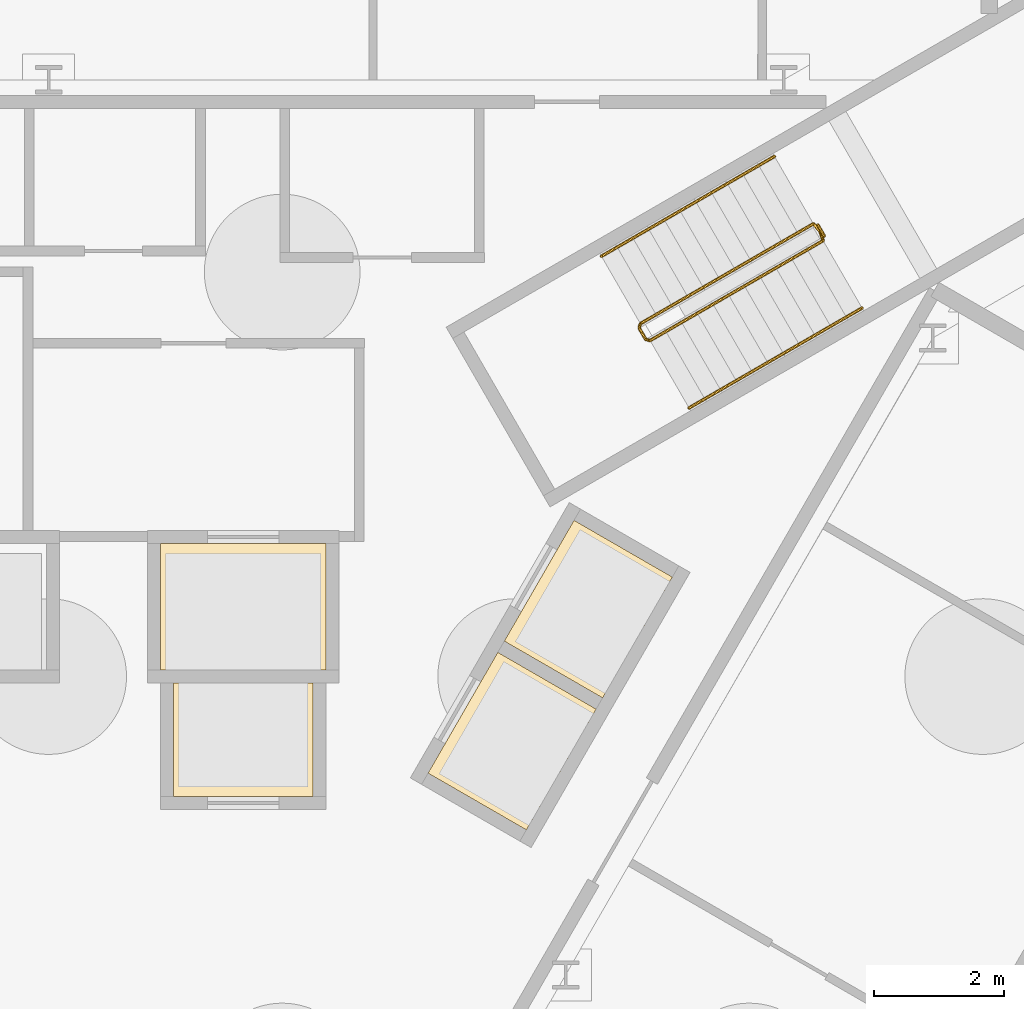
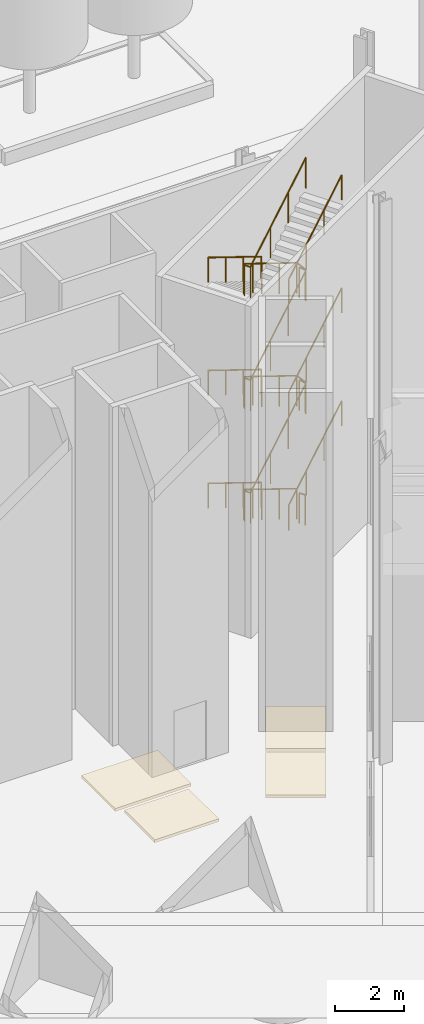
# One storey, part 16 of 22: 8 railings, 4 coverings.
"""IFC4 building model written with IfcOpenShell, lengths in metres."""

from ifc_helpers import new_model, si_unit, direction, frame, origin, origin_2d, place, context, subcontext, project, spatial, polyline, circle, outline, extrude, material, layer, layer_set, type_object, element, save


model = new_model("IFC4")

# Units and contexts
model_context = context("Model", 3, precision=1e-05, world=origin(), true_north=direction((0.0, 1.0)))
body_context = subcontext(model_context, "Body", "Model", "MODEL_VIEW")
ifc_project = project(units=[si_unit("LENGTHUNIT", "METRE"), si_unit("AREAUNIT", "SQUARE_METRE"), si_unit("VOLUMEUNIT", "CUBIC_METRE"), si_unit("PLANEANGLEUNIT", "RADIAN"), si_unit("MASSUNIT", "GRAM", prefix="KILO")], contexts=[model_context])

# Site, building, storey
site_placement = place(None, origin())
site = spatial("IfcSite", under=ifc_project, at=site_placement, CompositionType="ELEMENT")
building_placement = place(site_placement, origin())
building = spatial("IfcBuilding", under=site, at=building_placement, Name="Verrane Prism Tower", CompositionType="ELEMENT")
storey_placement = place(building_placement, origin())
storey = spatial("IfcBuildingStorey", under=building, at=storey_placement, Name="L00", CompositionType="ELEMENT", Elevation=0.0)

# Coverings
ifc_material_1 = material(Name="Concrete C40/50", Category="concrete")
ifc_layer = layer(ifc_material_1, 0.10009765625)
ifc_layer_set = layer_set([ifc_layer], Name="Lift pit floor 100 concrete C40/50")
covering_type = type_object("IfcCoveringType", Name="Lift pit floor 100 concrete C40/50", PredefinedType="FLOORING", material=ifc_layer_set)
covering_1_placement = place(storey_placement, frame((0.0, 0.0, -2.5)))
element("IfcCovering", 1, at=covering_1_placement, inside=storey, type_object=covering_type, Name="Shuttle lift 1 pit floor", PredefinedType="FLOORING", context=body_context, shape_type="SweptSolid", body=[
    extrude(outline(polyline([(8.09912109375, 2.407958984375), (9.61474609375, 1.532958984375), (8.53955078125, -0.328857421875), (7.024169921875, 0.546142578125), (8.09912109375, 2.407958984375)])), origin(), (0.0, 0.0, 1.0), 0.10009765625),
])
covering_2_placement = place(storey_placement, frame((0.0, 0.0, -2.5)))
element("IfcCovering", 2, at=covering_2_placement, inside=storey, type_object=covering_type, Name="Shuttle lift 3 pit floor", PredefinedType="FLOORING", context=body_context, shape_type="SweptSolid", body=[
    extrude(outline(polyline([(6.924072265625, 0.372802734375), (8.439697265625, -0.502197265625), (7.36474609375, -2.364013671875), (5.84912109375, -1.489013671875), (6.924072265625, 0.372802734375)])), origin(), (0.0, 0.0, 1.0), 0.10009765625),
])
covering_3_placement = place(storey_placement, frame((0.0, 0.0, -2.5)))
element("IfcCovering", 3, at=covering_3_placement, inside=storey, type_object=covering_type, Name="Fire service lift 2 pit floor", PredefinedType="FLOORING", context=body_context, shape_type="SweptSolid", body=[
    extrude(outline(polyline([(4.27490234375, 2.050048828125), (4.27490234375, 0.10009765625), (1.72509765625, 0.10009765625), (1.72509765625, 2.050048828125), (4.27490234375, 2.050048828125)])), origin(), (0.0, 0.0, 1.0), 0.10009765625),
])
covering_4_placement = place(storey_placement, frame((0.0, 0.0, -2.5)))
element("IfcCovering", 4, at=covering_4_placement, inside=storey, type_object=covering_type, Name="Retail lift 2 pit floor", PredefinedType="FLOORING", context=body_context, shape_type="SweptSolid", body=[
    extrude(outline(polyline([(1.925048828125, -1.85009765625), (1.925048828125, -0.10009765625), (4.074951171875, -0.10009765625), (4.074951171875, -1.85009765625), (1.925048828125, -1.85009765625)])), origin(), (0.0, 0.0, 1.0), 0.10009765625),
])

# Railings
ifc_material_2 = material(Name="Steel A36 rail and posts, no infill", Category="steel")
railing_type_1 = type_object("IfcRailingType", Name="Stair guard 1100 steel rail and posts", PredefinedType="GUARDRAIL", material=ifc_material_2)
railing_1_placement = place(storey_placement, frame((11.78955078125, 6.97998046875, 0.166748046875)))
element("IfcRailing", 5, at=railing_1_placement, inside=storey, type_object=railing_type_1, Name="Stair 1 guard", PredefinedType="GUARDRAIL", context=body_context, shape_type="SweptSolid", body=[
    extrude(circle(Radius=0.02392578125, at=origin_2d()), frame((0.0, 0.0, 1.076171875), z_axis=(-0.744159446956, -0.429671193721, 0.511477646425), x_axis=(0.500026652407, -0.866010015463, 0.0)), (0.0, 0.0, 1.0), 3.584228515625),
    extrude(circle(Radius=0.02392578125, at=origin_2d()), frame((-2.667236328125, -1.5400390625, 2.9091796875), z_axis=(-0.258736085224, -0.965948051503, 0.0), x_axis=(0.965948051503, -0.258736085224, 0.0)), (0.0, 0.0, 1.0), 0.07080078125),
    extrude(circle(Radius=0.02392578125, at=origin_2d()), frame((-2.685546875, -1.6083984375, 2.9091796875), z_axis=(0.499687197852, -0.866205924883, 0.0), x_axis=(0.866205924883, 0.499687197852, 0.0)), (0.0, 0.0, 1.0), 0.199951171875),
    extrude(circle(Radius=0.02392578125, at=origin_2d()), frame((-2.585693359375, -1.781494140625, 2.9091796875), z_axis=(0.377375626821, -0.101082757184, 0.920526975423), x_axis=(0.258736085224, 0.965948051503, 0.0)), (0.0, 0.0, 1.0), 0.18115234375),
    extrude(circle(Radius=0.02392578125, at=origin_2d()), frame((-2.517333984375, -1.7998046875, 3.076171875), z_axis=(0.744159446956, 0.429671193721, 0.511477646425), x_axis=(-0.500026652407, 0.866010015463, 0.0)), (0.0, 0.0, 1.0), 3.584228515625),
    extrude(circle(Radius=0.02392578125, at=origin_2d()), frame((0.14990234375, -0.259765625, 4.9091796875), z_axis=(-0.3199613899, 0.947430582667, 0.0), x_axis=(-0.947430582667, -0.3199613899, 0.0)), (0.0, 0.0, 1.0), 0.2548828125),
    extrude(circle(Radius=0.02392578125, at=origin_2d()), frame((0.068359375, -0.018310546875, 4.9091796875), z_axis=(0.499158860599, -0.866510491504, 0.0), x_axis=(0.866510491504, 0.499158860599, 0.0)), (0.0, 0.0, 1.0), 0.199951171875),
    extrude(circle(Radius=0.02392578125, at=origin_2d()), frame((0.168212890625, -0.191650390625, 4.9091796875), z_axis=(-0.552095562841, 0.629020343731, 0.547287764036), x_axis=(-0.751567565678, -0.659656118156, 0.0)), (0.0, 0.0, 1.0), 0.3046875),
    extrude(circle(Radius=0.02392578125, at=origin_2d()), frame((0.0, 0.0, 5.076171875), z_axis=(-0.744159446956, -0.429671193721, 0.511477646425), x_axis=(0.500026652407, -0.866010015463, 0.0)), (0.0, 0.0, 1.0), 3.584228515625),
    extrude(circle(Radius=0.02392578125, at=origin_2d()), frame((-2.667236328125, -1.5400390625, 6.9091796875), z_axis=(-0.258736085224, -0.965948051503, 0.0), x_axis=(0.965948051503, -0.258736085224, 0.0)), (0.0, 0.0, 1.0), 0.07080078125),
    extrude(circle(Radius=0.02392578125, at=origin_2d()), frame((-2.685546875, -1.6083984375, 6.9091796875), z_axis=(0.499687197852, -0.866205924883, 0.0), x_axis=(0.866205924883, 0.499687197852, 0.0)), (0.0, 0.0, 1.0), 0.199951171875),
    extrude(circle(Radius=0.02392578125, at=origin_2d()), frame((-2.585693359375, -1.781494140625, 6.9091796875), z_axis=(0.377375626821, -0.101082757184, 0.920526975423), x_axis=(0.258736085224, 0.965948051503, 0.0)), (0.0, 0.0, 1.0), 0.18115234375),
    extrude(circle(Radius=0.02392578125, at=origin_2d()), frame((-2.517333984375, -1.7998046875, 7.076171875), z_axis=(0.744159446956, 0.429671193721, 0.511477646425), x_axis=(-0.500026652407, 0.866010015463, 0.0)), (0.0, 0.0, 1.0), 3.584228515625),
    extrude(circle(Radius=0.02392578125, at=origin_2d()), frame((0.14990234375, -0.259765625, 8.9091796875), z_axis=(-0.3199613899, 0.947430582667, 0.0), x_axis=(-0.947430582667, -0.3199613899, 0.0)), (0.0, 0.0, 1.0), 0.2548828125),
    extrude(circle(Radius=0.02392578125, at=origin_2d()), frame((0.068359375, -0.018310546875, 8.9091796875), z_axis=(0.499158860599, -0.866510491504, 0.0), x_axis=(0.866510491504, 0.499158860599, 0.0)), (0.0, 0.0, 1.0), 0.199951171875),
    extrude(circle(Radius=0.02392578125, at=origin_2d()), frame((0.168212890625, -0.191650390625, 8.9091796875), z_axis=(-0.552095562841, 0.629020343731, 0.547287764036), x_axis=(-0.751567565678, -0.659656118156, 0.0)), (0.0, 0.0, 1.0), 0.3046875),
    extrude(circle(Radius=0.02392578125, at=origin_2d()), frame((0.0, 0.0, 9.076171875), z_axis=(-0.744159446956, -0.429671193721, 0.511477646425), x_axis=(0.500026652407, -0.866010015463, 0.0)), (0.0, 0.0, 1.0), 3.584228515625),
    extrude(circle(Radius=0.02392578125, at=origin_2d()), frame((-2.667236328125, -1.5400390625, 10.9091796875), z_axis=(-0.258736085224, -0.965948051503, 0.0), x_axis=(0.965948051503, -0.258736085224, 0.0)), (0.0, 0.0, 1.0), 0.07080078125),
    extrude(circle(Radius=0.02392578125, at=origin_2d()), frame((-2.685546875, -1.6083984375, 10.9091796875), z_axis=(0.499687197852, -0.866205924883, 0.0), x_axis=(0.866205924883, 0.499687197852, 0.0)), (0.0, 0.0, 1.0), 0.199951171875),
    extrude(circle(Radius=0.02392578125, at=origin_2d()), frame((-2.585693359375, -1.781494140625, 10.9091796875), z_axis=(0.377375626821, -0.101082757184, 0.920526975423), x_axis=(0.258736085224, 0.965948051503, 0.0)), (0.0, 0.0, 1.0), 0.18115234375),
    extrude(circle(Radius=0.02392578125, at=origin_2d()), frame((-2.517333984375, -1.7998046875, 11.076171875), z_axis=(0.744159446956, 0.429671193721, 0.511477646425), x_axis=(-0.500026652407, 0.866010015463, 0.0)), (0.0, 0.0, 1.0), 3.584228515625),
    extrude(circle(Radius=0.02099609375, at=origin_2d()), origin(), (0.0, 0.0, 1.0), 1.052001953125),
    extrude(circle(Radius=0.02099609375, at=origin_2d()), frame((-0.88916015625, -0.513427734375, 0.611083984375)), (0.0, 0.0, 1.0), 1.052001953125),
    extrude(circle(Radius=0.02099609375, at=origin_2d()), frame((-1.778076171875, -1.026611328125, 1.22216796875)), (0.0, 0.0, 1.0), 1.052001953125),
    extrude(circle(Radius=0.02099609375, at=origin_2d()), frame((-2.667236328125, -1.5400390625, 1.833251953125)), (0.0, 0.0, 1.0), 1.052001953125),
    extrude(circle(Radius=0.02099609375, at=origin_2d()), frame((-2.685546875, -1.6083984375, 1.833251953125)), (0.0, 0.0, 1.0), 1.052001953125),
    extrude(circle(Radius=0.02099609375, at=origin_2d()), frame((-2.585693359375, -1.781494140625, 1.833251953125)), (0.0, 0.0, 1.0), 1.052001953125),
    extrude(circle(Radius=0.02099609375, at=origin_2d()), frame((-2.517333984375, -1.7998046875, 2.0)), (0.0, 0.0, 1.0), 1.052001953125),
    extrude(circle(Radius=0.02099609375, at=origin_2d()), frame((-1.628173828125, -1.286376953125, 2.611083984375)), (0.0, 0.0, 1.0), 1.052001953125),
    extrude(circle(Radius=0.02099609375, at=origin_2d()), frame((-0.7392578125, -0.773193359375, 3.22216796875)), (0.0, 0.0, 1.0), 1.052001953125),
    extrude(circle(Radius=0.02099609375, at=origin_2d()), frame((0.14990234375, -0.259765625, 3.833251953125)), (0.0, 0.0, 1.0), 1.052001953125),
    extrude(circle(Radius=0.02099609375, at=origin_2d()), frame((0.068359375, -0.018310546875, 3.833251953125)), (0.0, 0.0, 1.0), 1.052001953125),
    extrude(circle(Radius=0.02099609375, at=origin_2d()), frame((0.168212890625, -0.191650390625, 3.833251953125)), (0.0, 0.0, 1.0), 1.052001953125),
    extrude(circle(Radius=0.02099609375, at=origin_2d()), frame((0.0, 0.0, 4.0)), (0.0, 0.0, 1.0), 1.052001953125),
    extrude(circle(Radius=0.02099609375, at=origin_2d()), frame((-0.88916015625, -0.513427734375, 4.611083984375)), (0.0, 0.0, 1.0), 1.052001953125),
    extrude(circle(Radius=0.02099609375, at=origin_2d()), frame((-1.778076171875, -1.026611328125, 5.22216796875)), (0.0, 0.0, 1.0), 1.052001953125),
    extrude(circle(Radius=0.02099609375, at=origin_2d()), frame((-2.667236328125, -1.5400390625, 5.833251953125)), (0.0, 0.0, 1.0), 1.052001953125),
    extrude(circle(Radius=0.02099609375, at=origin_2d()), frame((-2.685546875, -1.6083984375, 5.833251953125)), (0.0, 0.0, 1.0), 1.052001953125),
    extrude(circle(Radius=0.02099609375, at=origin_2d()), frame((-2.585693359375, -1.781494140625, 5.833251953125)), (0.0, 0.0, 1.0), 1.052001953125),
    extrude(circle(Radius=0.02099609375, at=origin_2d()), frame((-2.517333984375, -1.7998046875, 6.0)), (0.0, 0.0, 1.0), 1.052001953125),
    extrude(circle(Radius=0.02099609375, at=origin_2d()), frame((-1.628173828125, -1.286376953125, 6.611083984375)), (0.0, 0.0, 1.0), 1.052001953125),
    extrude(circle(Radius=0.02099609375, at=origin_2d()), frame((-0.7392578125, -0.773193359375, 7.22216796875)), (0.0, 0.0, 1.0), 1.052001953125),
    extrude(circle(Radius=0.02099609375, at=origin_2d()), frame((0.14990234375, -0.259765625, 7.833251953125)), (0.0, 0.0, 1.0), 1.052001953125),
    extrude(circle(Radius=0.02099609375, at=origin_2d()), frame((0.068359375, -0.018310546875, 7.833251953125)), (0.0, 0.0, 1.0), 1.052001953125),
    extrude(circle(Radius=0.02099609375, at=origin_2d()), frame((0.168212890625, -0.191650390625, 7.833251953125)), (0.0, 0.0, 1.0), 1.052001953125),
    extrude(circle(Radius=0.02099609375, at=origin_2d()), frame((0.0, 0.0, 8.0)), (0.0, 0.0, 1.0), 1.052001953125),
    extrude(circle(Radius=0.02099609375, at=origin_2d()), frame((-0.88916015625, -0.513427734375, 8.611083984375)), (0.0, 0.0, 1.0), 1.052001953125),
    extrude(circle(Radius=0.02099609375, at=origin_2d()), frame((-1.778076171875, -1.026611328125, 9.22216796875)), (0.0, 0.0, 1.0), 1.052001953125),
    extrude(circle(Radius=0.02099609375, at=origin_2d()), frame((-2.667236328125, -1.5400390625, 9.833251953125)), (0.0, 0.0, 1.0), 1.052001953125),
    extrude(circle(Radius=0.02099609375, at=origin_2d()), frame((-2.685546875, -1.6083984375, 9.833251953125)), (0.0, 0.0, 1.0), 1.052001953125),
    extrude(circle(Radius=0.02099609375, at=origin_2d()), frame((-2.585693359375, -1.781494140625, 9.833251953125)), (0.0, 0.0, 1.0), 1.052001953125),
    extrude(circle(Radius=0.02099609375, at=origin_2d()), frame((-2.517333984375, -1.7998046875, 10.0)), (0.0, 0.0, 1.0), 1.052001953125),
    extrude(circle(Radius=0.02099609375, at=origin_2d()), frame((-1.628173828125, -1.286376953125, 10.611083984375)), (0.0, 0.0, 1.0), 1.052001953125),
    extrude(circle(Radius=0.02099609375, at=origin_2d()), frame((-0.7392578125, -0.773193359375, 11.22216796875)), (0.0, 0.0, 1.0), 1.052001953125),
    extrude(circle(Radius=0.02099609375, at=origin_2d()), frame((0.14990234375, -0.259765625, 11.833251953125)), (0.0, 0.0, 1.0), 1.052001953125),
])
railing_2_placement = place(storey_placement, frame((11.85791015625, 6.961669921875, 0.0)))
element("IfcRailing", 6, at=railing_2_placement, inside=storey, type_object=railing_type_1, Name="Stair 1 guard", PredefinedType="GUARDRAIL", context=body_context, shape_type="SweptSolid", body=[
    extrude(circle(Radius=0.02392578125, at=origin_2d()), frame((0.0, 0.0, 1.076171875), z_axis=(0.499158860599, -0.866510491504, 0.0), x_axis=(0.866510491504, 0.499158860599, 0.0)), (0.0, 0.0, 1.0), 0.199951171875),
    extrude(circle(Radius=0.02099609375, at=origin_2d()), origin(), (0.0, 0.0, 1.0), 1.052001953125),
    extrude(circle(Radius=0.02099609375, at=origin_2d()), frame((0.099853515625, -0.17333984375, 0.0)), (0.0, 0.0, 1.0), 1.052001953125),
])
ifc_material_3 = material(Name="Steel A36 tube", Category="steel")
railing_type_2 = type_object("IfcRailingType", Name="Stair handrail 900 steel tube", PredefinedType="HANDRAIL", material=ifc_material_3)
railing_3_placement = place(storey_placement, frame((11.189453125, 8.01904296875, 0.166748046875)))
element("IfcRailing", 7, at=railing_3_placement, inside=storey, type_object=railing_type_2, Name="Stair 1 handrail", PredefinedType="HANDRAIL", context=body_context, shape_type="SweptSolid", body=[
    extrude(circle(Radius=0.02392578125, at=origin_2d()), frame((0.0, 0.0, 0.8759765625), z_axis=(-0.74418122563, -0.429615651263, 0.511492615401), x_axis=(0.499967199496, -0.866044340336, 0.0)), (0.0, 0.0, 1.0), 3.584228515625),
    extrude(circle(Radius=0.02099609375, at=origin_2d()), origin(), (0.0, 0.0, 1.0), 0.851806640625),
    extrude(circle(Radius=0.02099609375, at=origin_2d()), frame((-0.88916015625, -0.51318359375, 0.611083984375)), (0.0, 0.0, 1.0), 0.851806640625),
    extrude(circle(Radius=0.02099609375, at=origin_2d()), frame((-1.778076171875, -1.026611328125, 1.22216796875)), (0.0, 0.0, 1.0), 0.851806640625),
    extrude(circle(Radius=0.02099609375, at=origin_2d()), frame((-2.667236328125, -1.539794921875, 1.833251953125)), (0.0, 0.0, 1.0), 0.851806640625),
])
railing_4_placement = place(storey_placement, frame((9.872314453125, 4.140869140625, 2.166748046875)))
element("IfcRailing", 8, at=railing_4_placement, inside=storey, type_object=railing_type_2, Name="Stair 1 handrail", PredefinedType="HANDRAIL", context=body_context, shape_type="SweptSolid", body=[
    extrude(circle(Radius=0.02392578125, at=origin_2d()), frame((0.0, 0.0, 0.8759765625), z_axis=(0.744159446956, 0.429671193721, 0.511477646425), x_axis=(-0.500026652407, 0.866010015463, 0.0)), (0.0, 0.0, 1.0), 3.584228515625),
    extrude(circle(Radius=0.02099609375, at=origin_2d()), origin(), (0.0, 0.0, 1.0), 0.851806640625),
    extrude(circle(Radius=0.02099609375, at=origin_2d()), frame((0.88916015625, 0.513427734375, 0.611083984375)), (0.0, 0.0, 1.0), 0.851806640625),
    extrude(circle(Radius=0.02099609375, at=origin_2d()), frame((1.778076171875, 1.026611328125, 1.22216796875)), (0.0, 0.0, 1.0), 0.851806640625),
    extrude(circle(Radius=0.02099609375, at=origin_2d()), frame((2.667236328125, 1.5400390625, 1.833251953125)), (0.0, 0.0, 1.0), 0.851806640625),
])
railing_5_placement = place(storey_placement, frame((11.189453125, 8.01904296875, 4.166748046875)))
element("IfcRailing", 9, at=railing_5_placement, inside=storey, type_object=railing_type_2, Name="Stair 1 handrail", PredefinedType="HANDRAIL", context=body_context, shape_type="SweptSolid", body=[
    extrude(circle(Radius=0.02392578125, at=origin_2d()), frame((0.0, 0.0, 0.8759765625), z_axis=(-0.74418122563, -0.429615651263, 0.511492615401), x_axis=(0.499967199496, -0.866044340336, 0.0)), (0.0, 0.0, 1.0), 3.584228515625),
    extrude(circle(Radius=0.02099609375, at=origin_2d()), origin(), (0.0, 0.0, 1.0), 0.851806640625),
    extrude(circle(Radius=0.02099609375, at=origin_2d()), frame((-0.88916015625, -0.51318359375, 0.611083984375)), (0.0, 0.0, 1.0), 0.851806640625),
    extrude(circle(Radius=0.02099609375, at=origin_2d()), frame((-1.778076171875, -1.026611328125, 1.22216796875)), (0.0, 0.0, 1.0), 0.851806640625),
    extrude(circle(Radius=0.02099609375, at=origin_2d()), frame((-2.667236328125, -1.539794921875, 1.833251953125)), (0.0, 0.0, 1.0), 0.851806640625),
])
railing_6_placement = place(storey_placement, frame((9.872314453125, 4.140869140625, 6.166748046875)))
element("IfcRailing", 10, at=railing_6_placement, inside=storey, type_object=railing_type_2, Name="Stair 1 handrail", PredefinedType="HANDRAIL", context=body_context, shape_type="SweptSolid", body=[
    extrude(circle(Radius=0.02392578125, at=origin_2d()), frame((0.0, 0.0, 0.8759765625), z_axis=(0.744159446956, 0.429671193721, 0.511477646425), x_axis=(-0.500026652407, 0.866010015463, 0.0)), (0.0, 0.0, 1.0), 3.584228515625),
    extrude(circle(Radius=0.02099609375, at=origin_2d()), origin(), (0.0, 0.0, 1.0), 0.851806640625),
    extrude(circle(Radius=0.02099609375, at=origin_2d()), frame((0.88916015625, 0.513427734375, 0.611083984375)), (0.0, 0.0, 1.0), 0.851806640625),
    extrude(circle(Radius=0.02099609375, at=origin_2d()), frame((1.778076171875, 1.026611328125, 1.22216796875)), (0.0, 0.0, 1.0), 0.851806640625),
    extrude(circle(Radius=0.02099609375, at=origin_2d()), frame((2.667236328125, 1.5400390625, 1.833251953125)), (0.0, 0.0, 1.0), 0.851806640625),
])
railing_7_placement = place(storey_placement, frame((11.189453125, 8.01904296875, 8.166748046875)))
element("IfcRailing", 11, at=railing_7_placement, inside=storey, type_object=railing_type_2, Name="Stair 1 handrail", PredefinedType="HANDRAIL", context=body_context, shape_type="SweptSolid", body=[
    extrude(circle(Radius=0.02392578125, at=origin_2d()), frame((0.0, 0.0, 0.8759765625), z_axis=(-0.74418122563, -0.429615651263, 0.511492615401), x_axis=(0.499967199496, -0.866044340336, 0.0)), (0.0, 0.0, 1.0), 3.584228515625),
    extrude(circle(Radius=0.02099609375, at=origin_2d()), origin(), (0.0, 0.0, 1.0), 0.851806640625),
    extrude(circle(Radius=0.02099609375, at=origin_2d()), frame((-0.88916015625, -0.51318359375, 0.611083984375)), (0.0, 0.0, 1.0), 0.851806640625),
    extrude(circle(Radius=0.02099609375, at=origin_2d()), frame((-1.778076171875, -1.026611328125, 1.22216796875)), (0.0, 0.0, 1.0), 0.851806640625),
    extrude(circle(Radius=0.02099609375, at=origin_2d()), frame((-2.667236328125, -1.539794921875, 1.833251953125)), (0.0, 0.0, 1.0), 0.851806640625),
])
railing_8_placement = place(storey_placement, frame((9.872314453125, 4.140869140625, 10.166748046875)))
element("IfcRailing", 12, at=railing_8_placement, inside=storey, type_object=railing_type_2, Name="Stair 1 handrail", PredefinedType="HANDRAIL", context=body_context, shape_type="SweptSolid", body=[
    extrude(circle(Radius=0.02392578125, at=origin_2d()), frame((0.0, 0.0, 0.8759765625), z_axis=(0.744159446956, 0.429671193721, 0.511477646425), x_axis=(-0.500026652407, 0.866010015463, 0.0)), (0.0, 0.0, 1.0), 3.584228515625),
    extrude(circle(Radius=0.02099609375, at=origin_2d()), origin(), (0.0, 0.0, 1.0), 0.851806640625),
    extrude(circle(Radius=0.02099609375, at=origin_2d()), frame((0.88916015625, 0.513427734375, 0.611083984375)), (0.0, 0.0, 1.0), 0.851806640625),
    extrude(circle(Radius=0.02099609375, at=origin_2d()), frame((1.778076171875, 1.026611328125, 1.22216796875)), (0.0, 0.0, 1.0), 0.851806640625),
    extrude(circle(Radius=0.02099609375, at=origin_2d()), frame((2.667236328125, 1.5400390625, 1.833251953125)), (0.0, 0.0, 1.0), 0.851806640625),
])

save(model, "model.ifc")
